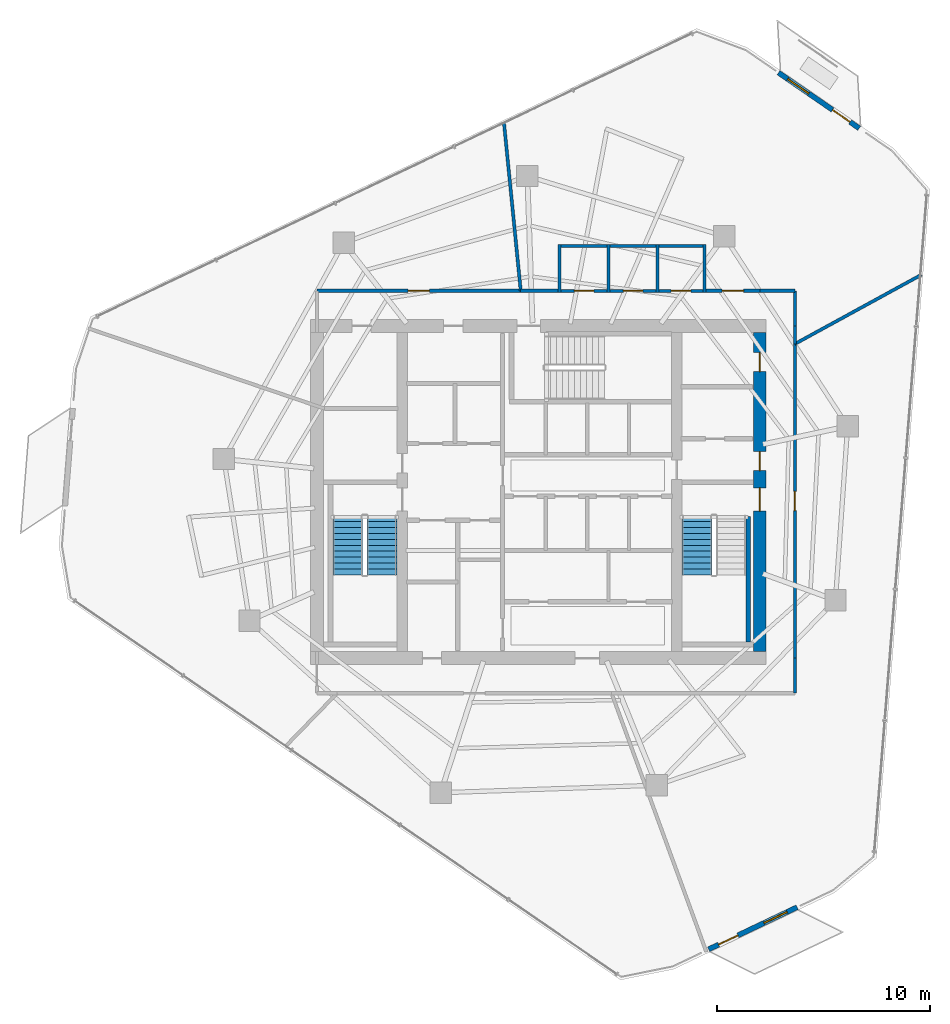
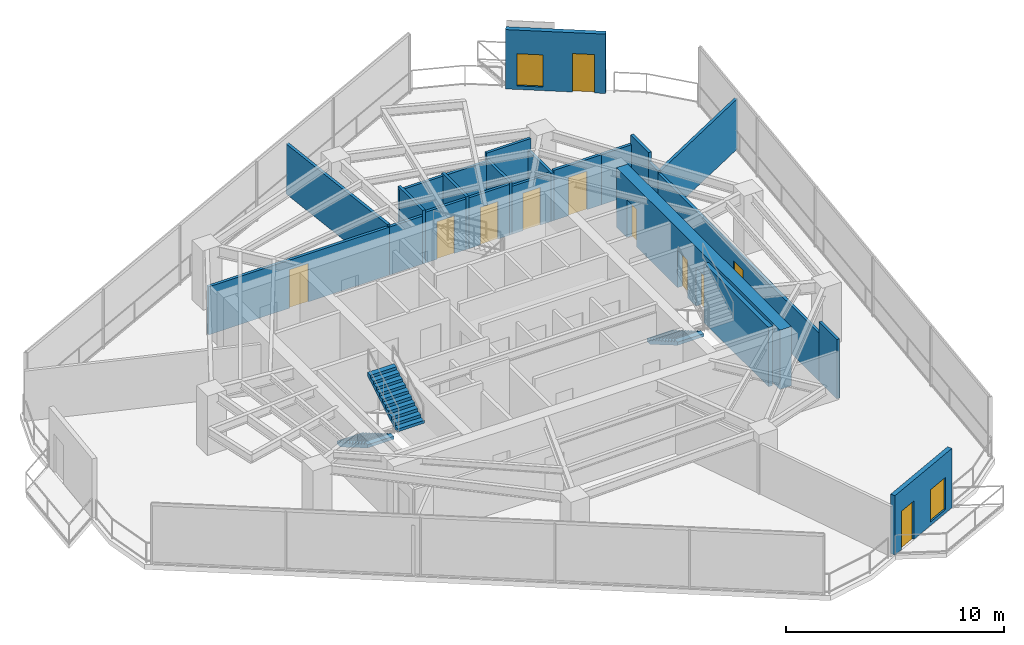
# One storey, part 18 of 21: 24 walls, 11 doors, 3 stair flights, 2 windows, 13 openings, 2 elements without a shape of their own.
"""IFC4 building model written with IfcOpenShell, lengths in metres."""

from ifc_helpers import new_model, si_unit, direction, frame, frame_2d, origin, place, context, subcontext, project, spatial, polyline, rectangle, outline, extrude, material, layer, layer_set, type_object, element, fill, aggregate, save


model = new_model("IFC4")

# Units and contexts
model_context = context("Model", 3, precision=1e-05, world=origin(), true_north=direction((0.0, 1.0)))
body_context = subcontext(model_context, "Body", "Model", "MODEL_VIEW")
ifc_project = project(units=[si_unit("LENGTHUNIT", "METRE"), si_unit("AREAUNIT", "SQUARE_METRE"), si_unit("VOLUMEUNIT", "CUBIC_METRE"), si_unit("PLANEANGLEUNIT", "RADIAN"), si_unit("MASSUNIT", "GRAM", prefix="KILO")], contexts=[model_context])

# Site, building, storey
site_placement = place(None, origin())
site = spatial("IfcSite", under=ifc_project, at=site_placement, CompositionType="ELEMENT")
building_placement = place(site_placement, origin())
building = spatial("IfcBuilding", under=site, at=building_placement, Name="Qarnah Convention Tower", CompositionType="ELEMENT")
storey_placement = place(building_placement, frame((0.0, 0.0, 161.699951171875)))
storey = spatial("IfcBuildingStorey", under=building, at=storey_placement, Name="L43", CompositionType="ELEMENT", Elevation=161.699951171875)

# Wall, openings, doors
ifc_material_1 = material(Name="Concrete C60/75", Category="concrete")
ifc_layer_1 = layer(ifc_material_1, 0.60009765625)
ifc_layer_set_1 = layer_set([ifc_layer_1], Name="Concrete C60/75")
wall_type_1 = type_object("IfcWallType", Name="WL-CORE-600", PredefinedType="SHEAR", material=ifc_layer_set_1)
wall_1_placement = place(storey_placement, frame((47.60009765625, 18.89990234375, 0.0), z_axis=(0.0, 0.0, 1.0), x_axis=(0.0, 1.0, 0.0)))
wall_1 = element("IfcWall", 1, at=wall_1_placement, inside=storey, type_object=wall_type_1, Name="L43 core east shear wall", PredefinedType="SHEAR", context=body_context, shape_type="SweptSolid", body=[
    extrude(rectangle(XDim=15.0, YDim=0.60009765625, at=frame_2d((7.5, 0.0))), origin(), (0.0, 0.0, 1.0), 3.320068359375),
])
opening_1_placement = place(wall_1_placement, frame((6.60009765625, 0.0, 0.0)))
opening_1 = element("IfcOpeningElement", 2, at=opening_1_placement, cuts=wall_1, Name="Opening D-4302", PredefinedType="OPENING", context=body_context, shape_type="SweptSolid", body=[
    extrude(rectangle(XDim=1.10009765625, YDim=2.14990234375, at=frame_2d((0.550048828125, 1.074951171875))), frame((0.0, 0.31005859375, 0.0), z_axis=(0.0, -1.0, 0.0), x_axis=(1.0, 0.0, 0.0)), (0.0, 0.0, 1.0), 0.6201171875),
])
opening_2_placement = place(wall_1_placement, frame((8.5, 0.0, 0.0)))
opening_2 = element("IfcOpeningElement", 3, at=opening_2_placement, cuts=wall_1, Name="Opening D-4306", PredefinedType="OPENING", context=body_context, shape_type="SweptSolid", body=[
    extrude(rectangle(XDim=0.89990234375, YDim=2.10009765625, at=frame_2d((0.449951171875, 1.050048828125))), frame((0.0, 0.31005859375, 0.0), z_axis=(0.0, -1.0, 0.0), x_axis=(1.0, 0.0, 0.0)), (0.0, 0.0, 1.0), 0.6201171875),
])
opening_3_placement = place(wall_1_placement, frame((13.14990234375, 0.0, 0.0)))
opening_3 = element("IfcOpeningElement", 4, at=opening_3_placement, cuts=wall_1, Name="Opening D-4312", PredefinedType="OPENING", context=body_context, shape_type="SweptSolid", body=[
    extrude(rectangle(XDim=0.89990234375, YDim=2.10009765625, at=frame_2d((0.449951171875, 1.050048828125))), frame((0.0, 0.31005859375, 0.0), z_axis=(0.0, -1.0, 0.0), x_axis=(1.0, 0.0, 0.0)), (0.0, 0.0, 1.0), 0.6201171875),
])
ifc_material_2 = material(Name="Structural steel S355JR", Category="steel")
door_type_1 = type_object("IfcDoorType", Name="DT-RISER-900", OperationType="NOTDEFINED", PredefinedType="DOOR", material=ifc_material_2)
door_1_placement = place(opening_2_placement, origin())
door_1 = element("IfcDoor", 5, at=door_1_placement, inside=storey, type_object=door_type_1, Name="Door D-4306", OperationType="SINGLE_SWING_LEFT", OverallHeight=2.10009765625, OverallWidth=0.89990234375, PredefinedType="DOOR", context=body_context, shape_type="SweptSolid", body=[
    extrude(rectangle(XDim=0.89990234375, YDim=2.10009765625, at=frame_2d((0.449951171875, 1.050048828125))), frame((0.0, 0.02490234375, 0.0), z_axis=(0.0, -1.0, 0.0), x_axis=(1.0, 0.0, 0.0)), (0.0, 0.0, 1.0), 0.050048828125),
])
fill(opening_2, door_1)
door_2_placement = place(opening_3_placement, origin())
door_2 = element("IfcDoor", 6, at=door_2_placement, inside=storey, type_object=door_type_1, Name="Door D-4312", OperationType="SINGLE_SWING_LEFT", OverallHeight=2.10009765625, OverallWidth=0.89990234375, PredefinedType="DOOR", context=body_context, shape_type="SweptSolid", body=[
    extrude(rectangle(XDim=0.89990234375, YDim=2.10009765625, at=frame_2d((0.449951171875, 1.050048828125))), frame((0.0, 0.02490234375, 0.0), z_axis=(0.0, -1.0, 0.0), x_axis=(1.0, 0.0, 0.0)), (0.0, 0.0, 1.0), 0.050048828125),
])
fill(opening_3, door_2)
door_type_2 = type_object("IfcDoorType", Name="DT-STAIR-1100", OperationType="NOTDEFINED", PredefinedType="DOOR", material=ifc_material_2)
door_3_placement = place(opening_1_placement, origin())
door_3 = element("IfcDoor", 7, at=door_3_placement, inside=storey, type_object=door_type_2, Name="Door D-4302", OperationType="SINGLE_SWING_LEFT", OverallHeight=2.14990234375, OverallWidth=1.10009765625, PredefinedType="DOOR", context=body_context, shape_type="SweptSolid", body=[
    extrude(rectangle(XDim=1.10009765625, YDim=2.14990234375, at=frame_2d((0.550048828125, 1.074951171875))), frame((0.0, 0.02490234375, 0.0), z_axis=(0.0, -1.0, 0.0), x_axis=(1.0, 0.0, 0.0)), (0.0, 0.0, 1.0), 0.050048828125),
])
fill(opening_1, door_3)

# Wall
ifc_layer_2 = layer(ifc_material_1, 0.219970703125)
ifc_layer_set_2 = layer_set([ifc_layer_2], Name="Concrete C60/75")
wall_type_2 = type_object("IfcWallType", Name="WL-CORE-STAIR-220", PredefinedType="SHEAR", material=ifc_layer_set_2)
wall_2_placement = place(storey_placement, frame((47.06005859375, 19.35009765625, 0.0), z_axis=(0.0, 0.0, 1.0), x_axis=(0.0, 1.0, 0.0)))
element("IfcWall", 8, at=wall_2_placement, inside=storey, type_object=wall_type_2, Name="L43 stair shaft shear wall SW-L43-ST2E", PredefinedType="SHEAR", context=body_context, shape_type="SweptSolid", body=[
    extrude(rectangle(XDim=5.89990234375, YDim=0.219970703125, at=frame_2d((2.949951171875, 0.0))), origin(), (0.0, 0.0, 1.0), 3.320068359375),
])

# Wall, openings, door, window
ifc_material_3 = material(Name="Precast concrete C45/55", Category="concrete")
ifc_layer_3 = layer(ifc_material_3, 0.239990234375)
ifc_layer_set_3 = layer_set([ifc_layer_3], Name="Precast concrete C45/55")
wall_type_3 = type_object("IfcWallType", Name="WL-EXT-BAL-240", PredefinedType="SOLIDWALL", material=ifc_layer_set_3)
wall_3_placement = place(storey_placement, frame((48.48095703125, 46.093994140625, 0.0), z_axis=(0.0, 0.0, 1.0), x_axis=(0.823521372706, -0.567285244562, 0.0)))
wall_3 = element("IfcWall", 9, at=wall_3_placement, inside=storey, type_object=wall_type_3, Name="L43 loggia threshold wall BAL-L43-C1", PredefinedType="SOLIDWALL", context=body_context, shape_type="SweptSolid", body=[
    extrude(rectangle(XDim=4.60107421875, YDim=0.239990234375, at=frame_2d((2.300537109375, 0.0))), origin(), (0.0, 0.0, 1.0), 3.320068359375),
])
opening_4_placement = place(wall_3_placement, frame((3.0810546875, 0.0, 0.0)))
opening_4 = element("IfcOpeningElement", 10, at=opening_4_placement, cuts=wall_3, Name="Opening BD-4301", PredefinedType="OPENING", context=body_context, shape_type="SweptSolid", body=[
    extrude(rectangle(XDim=1.0, YDim=2.14990234375, at=frame_2d((0.5, 1.074951171875))), frame((0.0, 0.1298828125, 0.0), z_axis=(0.0, -1.0, 0.0), x_axis=(1.0, 0.0, 0.0)), (0.0, 0.0, 1.0), 0.260009765625),
])
opening_5_placement = place(wall_3_placement, frame((0.52001953125, 0.0, 0.199951171875)))
opening_5 = element("IfcOpeningElement", 11, at=opening_5_placement, cuts=wall_3, Name="Opening WN5", PredefinedType="OPENING", context=body_context, shape_type="SweptSolid", body=[
    extrude(rectangle(XDim=1.199951171875, YDim=1.800048828125, at=frame_2d((0.60009765625, 0.89990234375))), frame((0.0, 0.1298828125, 0.0), z_axis=(0.0, -1.0, 0.0), x_axis=(1.0, 0.0, 0.0)), (0.0, 0.0, 1.0), 0.260009765625),
])
ifc_material_4 = material(Name="Black anodised aluminium", Category="aluminium")
door_type_3 = type_object("IfcDoorType", Name="DT-BAL-1000", OperationType="NOTDEFINED", PredefinedType="DOOR", material=ifc_material_4)
door_4_placement = place(opening_4_placement, origin())
door_4 = element("IfcDoor", 12, at=door_4_placement, inside=storey, type_object=door_type_3, Name="L43 balcony terrace door BAL-L43-C1", OperationType="SINGLE_SWING_RIGHT", OverallHeight=2.14990234375, OverallWidth=1.0, PredefinedType="DOOR", context=body_context, shape_type="SweptSolid", body=[
    extrude(rectangle(XDim=1.0, YDim=2.14990234375, at=frame_2d((0.5, 1.074951171875))), frame((0.0, 0.02490234375, 0.0), z_axis=(0.0, -1.0, 0.0), x_axis=(1.0, 0.0, 0.0)), (0.0, 0.0, 1.0), 0.050048828125),
])
fill(opening_4, door_4)
ifc_material_5 = material(Name="Tempered Low-E dark glass", Category="glass")
window_type = type_object("IfcWindowType", Name="WT-BAL-1200X1800", PartitioningType="SINGLE_PANEL", PredefinedType="WINDOW", material=ifc_material_5)
window_1_placement = place(opening_5_placement, origin())
window_1 = element("IfcWindow", 13, at=window_1_placement, inside=storey, type_object=window_type, Name="Window BW-BAL-L43-C1", OverallHeight=1.800048828125, OverallWidth=1.199951171875, PartitioningType="SINGLE_PANEL", PredefinedType="WINDOW", context=body_context, shape_type="SweptSolid", body=[
    extrude(rectangle(XDim=1.199951171875, YDim=1.800048828125, at=frame_2d((0.60009765625, 0.89990234375))), frame((0.0, 0.030029296875, 0.0), z_axis=(0.0, -1.0, 0.0), x_axis=(1.0, 0.0, 0.0)), (0.0, 0.0, 1.0), 0.06005859375),
])
fill(opening_5, window_1)

wall_4_placement = place(storey_placement, frame((49.35205078125, 6.89892578125, 0.0), z_axis=(0.0, 0.0, 1.0), x_axis=(-0.903053691433, -0.429527682913, 0.0)))
wall_4 = element("IfcWall", 14, at=wall_4_placement, inside=storey, type_object=wall_type_3, Name="L43 loggia threshold wall BAL-L43-C3", PredefinedType="SOLIDWALL", context=body_context, shape_type="SweptSolid", body=[
    extrude(rectangle(XDim=4.60009765625, YDim=0.239990234375, at=frame_2d((2.300048828125, 0.0))), origin(), (0.0, 0.0, 1.0), 3.320068359375),
])
opening_6_placement = place(wall_4_placement, frame((3.080078125, 0.0, 0.0)))
opening_6 = element("IfcOpeningElement", 15, at=opening_6_placement, cuts=wall_4, Name="Opening BD-4303", PredefinedType="OPENING", context=body_context, shape_type="SweptSolid", body=[
    extrude(rectangle(XDim=1.0, YDim=2.14990234375, at=frame_2d((0.5, 1.074951171875))), frame((0.0, 0.1298828125, 0.0), z_axis=(0.0, -1.0, 0.0), x_axis=(1.0, 0.0, 0.0)), (0.0, 0.0, 1.0), 0.260009765625),
])
opening_7_placement = place(wall_4_placement, frame((0.52001953125, 0.0, 0.199951171875)))
opening_7 = element("IfcOpeningElement", 16, at=opening_7_placement, cuts=wall_4, Name="Opening WN5", PredefinedType="OPENING", context=body_context, shape_type="SweptSolid", body=[
    extrude(rectangle(XDim=1.199951171875, YDim=1.800048828125, at=frame_2d((0.60009765625, 0.89990234375))), frame((0.0, 0.1298828125, 0.0), z_axis=(0.0, -1.0, 0.0), x_axis=(1.0, 0.0, 0.0)), (0.0, 0.0, 1.0), 0.260009765625),
])
door_5_placement = place(opening_6_placement, origin())
door_5 = element("IfcDoor", 17, at=door_5_placement, inside=storey, type_object=door_type_3, Name="L43 balcony terrace door BAL-L43-C3", OperationType="SINGLE_SWING_RIGHT", OverallHeight=2.14990234375, OverallWidth=1.0, PredefinedType="DOOR", context=body_context, shape_type="SweptSolid", body=[
    extrude(rectangle(XDim=1.0, YDim=2.14990234375, at=frame_2d((0.5, 1.074951171875))), frame((0.0, 0.02490234375, 0.0), z_axis=(0.0, -1.0, 0.0), x_axis=(1.0, 0.0, 0.0)), (0.0, 0.0, 1.0), 0.050048828125),
])
fill(opening_6, door_5)
window_2_placement = place(opening_7_placement, origin())
window_2 = element("IfcWindow", 18, at=window_2_placement, inside=storey, type_object=window_type, Name="Window BW-BAL-L43-C3", OverallHeight=1.800048828125, OverallWidth=1.199951171875, PartitioningType="SINGLE_PANEL", PredefinedType="WINDOW", context=body_context, shape_type="SweptSolid", body=[
    extrude(rectangle(XDim=1.199951171875, YDim=1.800048828125, at=frame_2d((0.60009765625, 0.89990234375))), frame((0.0, 0.030029296875, 0.0), z_axis=(0.0, -1.0, 0.0), x_axis=(1.0, 0.0, 0.0)), (0.0, 0.0, 1.0), 0.06005859375),
])
fill(opening_7, window_2)

# Walls
ifc_material_6 = material(Name="Gypsum partition board")
ifc_layer_4 = layer(ifc_material_6, 0.14990234375)
ifc_layer_set_4 = layer_set([ifc_layer_4], Name="Gypsum partition board")
wall_type_4 = type_object("IfcWallType", Name="WL-SUITE-150", PredefinedType="PARTITIONING", material=ifc_layer_set_4)
wall_5_placement = place(storey_placement, frame((35.5810546875, 43.785888671875, 0.0), z_axis=(0.0, 0.0, 1.0), x_axis=(0.099306706415, -0.995056871772, 0.0)))
element("IfcWall", 19, at=wall_5_placement, inside=storey, type_object=wall_type_4, Name="L43 interior wall IW-L43-R-11", PredefinedType="PARTITIONING", context=body_context, shape_type="SweptSolid", body=[
    extrude(rectangle(XDim=7.97509765625, YDim=0.14990234375, at=frame_2d((3.987548828125, 0.0))), origin(), (0.0, 0.0, 1.0), 2.804931640625),
])
wall_6_placement = place(storey_placement, frame((36.373046875, 35.85009765625, 0.0), z_axis=(0.0, 0.0, 1.0), x_axis=(1.0, 0.0, 0.0)))
element("IfcWall", 20, at=wall_6_placement, inside=storey, type_object=wall_type_4, Name="L43 interior wall IW-L43-R-12", PredefinedType="PARTITIONING", context=body_context, shape_type="SweptSolid", body=[
    extrude(rectangle(XDim=1.7568359375, YDim=0.14990234375, at=frame_2d((0.87841796875, 0.0))), origin(), (0.0, 0.0, 1.0), 2.68701171875),
])

# Wall, opening, door
wall_7_placement = place(storey_placement, frame((45.070068359375, 35.85009765625, 0.0), z_axis=(0.0, 0.0, 1.0), x_axis=(1.0, 0.0, 0.0)))
wall_7 = element("IfcWall", 21, at=wall_7_placement, inside=storey, type_object=wall_type_4, Name="L43 interior wall IW-L43-R-13", PredefinedType="PARTITIONING", context=body_context, shape_type="SweptSolid", body=[
    extrude(rectangle(XDim=2.530029296875, YDim=0.14990234375, at=frame_2d((1.26513671875, 0.0))), origin(), (0.0, 0.0, 1.0), 2.804931640625),
])
opening_8_placement = place(wall_7_placement, frame((0.764892578125, 0.0, 0.0)))
opening_8 = element("IfcOpeningElement", 22, at=opening_8_placement, cuts=wall_7, Name="Opening D-4321", PredefinedType="OPENING", context=body_context, shape_type="SweptSolid", body=[
    extrude(rectangle(XDim=1.0, YDim=2.14990234375, at=frame_2d((0.5, 1.074951171875))), frame((0.0, 0.0849609375, 0.0), z_axis=(0.0, -1.0, 0.0), x_axis=(1.0, 0.0, 0.0)), (0.0, 0.0, 1.0), 0.169921875),
])
ifc_material_7 = material(Name="Oak timber veneer", Category="wood")
door_type_4 = type_object("IfcDoorType", Name="DT-OFFICE-1000", OperationType="NOTDEFINED", PredefinedType="DOOR", material=ifc_material_7)
door_6_placement = place(opening_8_placement, origin())
door_6 = element("IfcDoor", 23, at=door_6_placement, inside=storey, type_object=door_type_4, Name="Door D-4321", OperationType="SINGLE_SWING_RIGHT", OverallHeight=2.14990234375, OverallWidth=1.0, PredefinedType="DOOR", context=body_context, shape_type="SweptSolid", body=[
    extrude(rectangle(XDim=1.0, YDim=2.14990234375, at=frame_2d((0.5, 1.074951171875))), frame((0.0, 0.02490234375, 0.0), z_axis=(0.0, -1.0, 0.0), x_axis=(1.0, 0.0, 0.0)), (0.0, 0.0, 1.0), 0.050048828125),
])
fill(opening_8, door_6)

# Walls
wall_8_placement = place(storey_placement, frame((47.60009765625, 35.85009765625, 0.0), z_axis=(0.0, 0.0, 1.0), x_axis=(1.0, 0.0, 0.0)))
element("IfcWall", 24, at=wall_8_placement, inside=storey, type_object=wall_type_4, Name="L43 interior wall IW-L43-R-14", PredefinedType="PARTITIONING", context=body_context, shape_type="SweptSolid", body=[
    extrude(rectangle(XDim=1.64990234375, YDim=0.14990234375, at=frame_2d((0.824951171875, 0.0))), origin(), (0.0, 0.0, 1.0), 2.804931640625),
])
wall_9_placement = place(storey_placement, frame((49.25, 35.85009765625, 0.0), z_axis=(0.0, 0.0, 1.0), x_axis=(0.0, -1.0, 0.0)))
element("IfcWall", 25, at=wall_9_placement, inside=storey, type_object=wall_type_4, Name="L43 interior wall IW-L43-R-15", PredefinedType="PARTITIONING", context=body_context, shape_type="SweptSolid", body=[
    extrude(rectangle(XDim=1.650146484375, YDim=0.14990234375, at=frame_2d((0.8251953125, 0.0))), origin(), (0.0, 0.0, 1.0), 3.320068359375),
])
wall_10_placement = place(storey_placement, frame((49.25, 34.199951171875, 0.0), z_axis=(0.0, 0.0, 1.0), x_axis=(0.0, -1.0, 0.0)))
element("IfcWall", 26, at=wall_10_placement, inside=storey, type_object=wall_type_4, Name="L43 interior wall IW-L43-R-16", PredefinedType="PARTITIONING", context=body_context, shape_type="SweptSolid", body=[
    extrude(rectangle(XDim=0.843017578125, YDim=0.14990234375, at=frame_2d((0.42138671875, 0.0))), origin(), (0.0, 0.0, 1.0), 2.804931640625),
])
wall_11_placement = place(storey_placement, frame((49.25, 33.35693359375, 0.0), z_axis=(0.0, 0.0, 1.0), x_axis=(0.877457580628, 0.479654244428, 0.0)))
element("IfcWall", 27, at=wall_11_placement, inside=storey, type_object=wall_type_4, Name="L43 interior wall IW-L43-R-17", PredefinedType="PARTITIONING", context=body_context, shape_type="SweptSolid", body=[
    extrude(rectangle(XDim=6.77978515625, YDim=0.14990234375, at=frame_2d((3.389892578125, 0.0))), origin(), (0.0, 0.0, 1.0), 2.804931640625),
])

# Wall, opening, door
wall_12_placement = place(storey_placement, frame((26.800048828125, 35.85009765625, 0.0), z_axis=(0.0, 0.0, 1.0), x_axis=(1.0, 0.0, 0.0)))
wall_12 = element("IfcWall", 28, at=wall_12_placement, inside=storey, type_object=wall_type_4, Name="L43 interior wall IW-L43-R-20", PredefinedType="PARTITIONING", context=body_context, shape_type="SweptSolid", body=[
    extrude(rectangle(XDim=9.572998046875, YDim=0.14990234375, at=frame_2d((4.78662109375, 0.0))), origin(), (0.0, 0.0, 1.0), 2.68701171875),
])
opening_9_placement = place(wall_12_placement, frame((4.285888671875, 0.0, 0.0)))
opening_9 = element("IfcOpeningElement", 29, at=opening_9_placement, cuts=wall_12, Name="Opening D-4322", PredefinedType="OPENING", context=body_context, shape_type="SweptSolid", body=[
    extrude(rectangle(XDim=1.0, YDim=2.14990234375, at=frame_2d((0.5, 1.074951171875))), frame((0.0, 0.0849609375, 0.0), z_axis=(0.0, -1.0, 0.0), x_axis=(1.0, 0.0, 0.0)), (0.0, 0.0, 1.0), 0.169921875),
])
door_7_placement = place(opening_9_placement, origin())
door_7 = element("IfcDoor", 30, at=door_7_placement, inside=storey, type_object=door_type_4, Name="Door D-4322", OperationType="SINGLE_SWING_LEFT", OverallHeight=2.14990234375, OverallWidth=1.0, PredefinedType="DOOR", context=body_context, shape_type="SweptSolid", body=[
    extrude(rectangle(XDim=1.0, YDim=2.14990234375, at=frame_2d((0.5, 1.074951171875))), frame((0.0, 0.02490234375, 0.0), z_axis=(0.0, -1.0, 0.0), x_axis=(1.0, 0.0, 0.0)), (0.0, 0.0, 1.0), 0.050048828125),
])
fill(opening_9, door_7)

wall_13_placement = place(storey_placement, frame((49.25, 33.35693359375, 0.0), z_axis=(0.0, 0.0, 1.0), x_axis=(0.0, -1.0, 0.0)))
wall_13 = element("IfcWall", 31, at=wall_13_placement, inside=storey, type_object=wall_type_4, Name="L43 interior wall IW-L43-R-26", PredefinedType="PARTITIONING", context=body_context, shape_type="SweptSolid", body=[
    extrude(rectangle(XDim=14.7568359375, YDim=0.14990234375, at=frame_2d((7.37841796875, 0.0))), origin(), (0.0, 0.0, 1.0), 2.68701171875),
])
opening_10_placement = place(wall_13_placement, frame((6.927978515625, 0.0, 0.0)))
opening_10 = element("IfcOpeningElement", 32, at=opening_10_placement, cuts=wall_13, Name="Opening D-4325", PredefinedType="OPENING", context=body_context, shape_type="SweptSolid", body=[
    extrude(rectangle(XDim=0.89990234375, YDim=2.0, at=frame_2d((0.449951171875, 1.0))), frame((0.0, 0.0849609375, 0.0), z_axis=(0.0, -1.0, 0.0), x_axis=(1.0, 0.0, 0.0)), (0.0, 0.0, 1.0), 0.169921875),
])
door_type_5 = type_object("IfcDoorType", Name="DT-PLANT-900", OperationType="NOTDEFINED", PredefinedType="DOOR", material=ifc_material_2)
door_8_placement = place(opening_10_placement, origin())
door_8 = element("IfcDoor", 33, at=door_8_placement, inside=storey, type_object=door_type_5, Name="Door D-4325", OperationType="SINGLE_SWING_RIGHT", OverallHeight=2.0, OverallWidth=0.89990234375, PredefinedType="DOOR", context=body_context, shape_type="SweptSolid", body=[
    extrude(rectangle(XDim=0.89990234375, YDim=2.0, at=frame_2d((0.449951171875, 1.0))), frame((0.0, 0.02490234375, 0.0), z_axis=(0.0, -1.0, 0.0), x_axis=(1.0, 0.0, 0.0)), (0.0, 0.0, 1.0), 0.050048828125),
])
fill(opening_10, door_8)

# Wall
wall_14_placement = place(storey_placement, frame((49.25, 18.60009765625, 0.0), z_axis=(0.0, 0.0, 1.0), x_axis=(0.0, -1.0, 0.0)))
element("IfcWall", 34, at=wall_14_placement, inside=storey, type_object=wall_type_4, Name="L43 interior wall IW-L43-R-27", PredefinedType="PARTITIONING", context=body_context, shape_type="SweptSolid", body=[
    extrude(rectangle(XDim=1.650146484375, YDim=0.14990234375, at=frame_2d((0.8251953125, 0.0))), origin(), (0.0, 0.0, 1.0), 3.320068359375),
])

# Wall, opening, door
ifc_layer_5 = layer(ifc_material_6, 0.139892578125)
ifc_layer_set_5 = layer_set([ifc_layer_5], Name="Gypsum partition board")
wall_type_5 = type_object("IfcWallType", Name="WL-WET-140", PredefinedType="PARTITIONING", material=ifc_layer_set_5)
wall_15_placement = place(storey_placement, frame((38.1298828125, 35.85009765625, 0.0), z_axis=(0.0, 0.0, 1.0), x_axis=(1.0, 0.0, 0.0)))
wall_15 = element("IfcWall", 35, at=wall_15_placement, inside=storey, type_object=wall_type_5, Name="L43 interior wall IW-L43-WCM-1", PredefinedType="PARTITIONING", context=body_context, shape_type="SweptSolid", body=[
    extrude(rectangle(XDim=2.440185546875, YDim=0.139892578125, at=frame_2d((1.22021484375, 0.0))), origin(), (0.0, 0.0, 1.0), 2.841064453125),
])
opening_11_placement = place(wall_15_placement, frame((0.760009765625, 0.0, 0.0)))
opening_11 = element("IfcOpeningElement", 36, at=opening_11_placement, cuts=wall_15, Name="Opening D-4318", PredefinedType="OPENING", context=body_context, shape_type="SweptSolid", body=[
    extrude(rectangle(XDim=0.919921875, YDim=2.10009765625, at=frame_2d((0.4599609375, 1.050048828125))), frame((0.0, 0.079833984375, 0.0), z_axis=(0.0, -1.0, 0.0), x_axis=(1.0, 0.0, 0.0)), (0.0, 0.0, 1.0), 0.159912109375),
])
door_type_6 = type_object("IfcDoorType", Name="DT-WC-920", OperationType="NOTDEFINED", PredefinedType="DOOR", material=ifc_material_7)
door_9_placement = place(opening_11_placement, origin())
door_9 = element("IfcDoor", 37, at=door_9_placement, inside=storey, type_object=door_type_6, Name="Door D-4318", OperationType="SINGLE_SWING_LEFT", OverallHeight=2.10009765625, OverallWidth=0.919921875, PredefinedType="DOOR", context=body_context, shape_type="SweptSolid", body=[
    extrude(rectangle(XDim=0.919921875, YDim=2.10009765625, at=frame_2d((0.4599609375, 1.050048828125))), frame((0.0, 0.02490234375, 0.0), z_axis=(0.0, -1.0, 0.0), x_axis=(1.0, 0.0, 0.0)), (0.0, 0.0, 1.0), 0.050048828125),
])
fill(opening_11, door_9)

# Walls
wall_16_placement = place(storey_placement, frame((40.5, 35.780029296875, 0.0), z_axis=(0.0, 0.0, 1.0), x_axis=(0.0, 1.0, 0.0)))
element("IfcWall", 38, at=wall_16_placement, inside=storey, type_object=wall_type_5, Name="L43 interior wall IW-L43-WCM-2", PredefinedType="PARTITIONING", context=body_context, shape_type="SweptSolid", body=[
    extrude(rectangle(XDim=2.239990234375, YDim=0.139892578125, at=frame_2d((1.1201171875, 0.0))), origin(), (0.0, 0.0, 1.0), 2.948974609375),
])
wall_17_placement = place(storey_placement, frame((40.570068359375, 37.949951171875, 0.0), z_axis=(0.0, 0.0, 1.0), x_axis=(-1.0, 0.0, 0.0)))
element("IfcWall", 39, at=wall_17_placement, inside=storey, type_object=wall_type_5, Name="L43 interior wall IW-L43-WCM-3", PredefinedType="PARTITIONING", context=body_context, shape_type="SweptSolid", body=[
    extrude(rectangle(XDim=2.440185546875, YDim=0.139892578125, at=frame_2d((1.22021484375, 0.0))), origin(), (0.0, 0.0, 1.0), 2.841064453125),
])
wall_18_placement = place(storey_placement, frame((38.199951171875, 38.02001953125, 0.0), z_axis=(0.0, 0.0, 1.0), x_axis=(0.0, -1.0, 0.0)))
element("IfcWall", 40, at=wall_18_placement, inside=storey, type_object=wall_type_5, Name="L43 interior wall IW-L43-WCM-4", PredefinedType="PARTITIONING", context=body_context, shape_type="SweptSolid", body=[
    extrude(rectangle(XDim=2.239990234375, YDim=0.139892578125, at=frame_2d((1.1201171875, 0.0))), origin(), (0.0, 0.0, 1.0), 2.9931640625),
])

# Wall, opening, door
wall_19_placement = place(storey_placement, frame((40.429931640625, 35.85009765625, 0.0), z_axis=(0.0, 0.0, 1.0), x_axis=(1.0, 0.0, 0.0)))
wall_19 = element("IfcWall", 41, at=wall_19_placement, inside=storey, type_object=wall_type_5, Name="L43 interior wall IW-L43-WCF-1", PredefinedType="PARTITIONING", context=body_context, shape_type="SweptSolid", body=[
    extrude(rectangle(XDim=2.440185546875, YDim=0.139892578125, at=frame_2d((1.22021484375, 0.0))), origin(), (0.0, 0.0, 1.0), 2.841064453125),
])
opening_12_placement = place(wall_19_placement, frame((0.760009765625, 0.0, 0.0)))
opening_12 = element("IfcOpeningElement", 42, at=opening_12_placement, cuts=wall_19, Name="Opening D-4319", PredefinedType="OPENING", context=body_context, shape_type="SweptSolid", body=[
    extrude(rectangle(XDim=0.919921875, YDim=2.10009765625, at=frame_2d((0.4599609375, 1.050048828125))), frame((0.0, 0.079833984375, 0.0), z_axis=(0.0, -1.0, 0.0), x_axis=(1.0, 0.0, 0.0)), (0.0, 0.0, 1.0), 0.159912109375),
])
door_10_placement = place(opening_12_placement, origin())
door_10 = element("IfcDoor", 43, at=door_10_placement, inside=storey, type_object=door_type_6, Name="Door D-4319", OperationType="SINGLE_SWING_RIGHT", OverallHeight=2.10009765625, OverallWidth=0.919921875, PredefinedType="DOOR", context=body_context, shape_type="SweptSolid", body=[
    extrude(rectangle(XDim=0.919921875, YDim=2.10009765625, at=frame_2d((0.4599609375, 1.050048828125))), frame((0.0, 0.02490234375, 0.0), z_axis=(0.0, -1.0, 0.0), x_axis=(1.0, 0.0, 0.0)), (0.0, 0.0, 1.0), 0.050048828125),
])
fill(opening_12, door_10)

# Walls
wall_20_placement = place(storey_placement, frame((42.800048828125, 35.780029296875, 0.0), z_axis=(0.0, 0.0, 1.0), x_axis=(0.0, 1.0, 0.0)))
element("IfcWall", 44, at=wall_20_placement, inside=storey, type_object=wall_type_5, Name="L43 interior wall IW-L43-WCF-2", PredefinedType="PARTITIONING", context=body_context, shape_type="SweptSolid", body=[
    extrude(rectangle(XDim=2.239990234375, YDim=0.139892578125, at=frame_2d((1.1201171875, 0.0))), origin(), (0.0, 0.0, 1.0), 2.948974609375),
])
wall_21_placement = place(storey_placement, frame((42.8701171875, 37.949951171875, 0.0), z_axis=(0.0, 0.0, 1.0), x_axis=(-1.0, 0.0, 0.0)))
element("IfcWall", 45, at=wall_21_placement, inside=storey, type_object=wall_type_5, Name="L43 interior wall IW-L43-WCF-3", PredefinedType="PARTITIONING", context=body_context, shape_type="SweptSolid", body=[
    extrude(rectangle(XDim=2.440185546875, YDim=0.139892578125, at=frame_2d((1.22021484375, 0.0))), origin(), (0.0, 0.0, 1.0), 2.841064453125),
])

# Wall, opening, door
wall_22_placement = place(storey_placement, frame((42.72998046875, 35.85009765625, 0.0), z_axis=(0.0, 0.0, 1.0), x_axis=(1.0, 0.0, 0.0)))
wall_22 = element("IfcWall", 46, at=wall_22_placement, inside=storey, type_object=wall_type_5, Name="L43 interior wall IW-L43-WCA-1", PredefinedType="PARTITIONING", context=body_context, shape_type="SweptSolid", body=[
    extrude(rectangle(XDim=2.340087890625, YDim=0.139892578125, at=frame_2d((1.169921875, 0.0))), origin(), (0.0, 0.0, 1.0), 2.68701171875),
])
opening_13_placement = place(wall_22_placement, frame((0.7099609375, 0.0, 0.0)))
opening_13 = element("IfcOpeningElement", 47, at=opening_13_placement, cuts=wall_22, Name="Opening D-4320", PredefinedType="OPENING", context=body_context, shape_type="SweptSolid", body=[
    extrude(rectangle(XDim=0.919921875, YDim=2.10009765625, at=frame_2d((0.4599609375, 1.050048828125))), frame((0.0, 0.079833984375, 0.0), z_axis=(0.0, -1.0, 0.0), x_axis=(1.0, 0.0, 0.0)), (0.0, 0.0, 1.0), 0.159912109375),
])
door_11_placement = place(opening_13_placement, origin())
door_11 = element("IfcDoor", 48, at=door_11_placement, inside=storey, type_object=door_type_6, Name="Door D-4320", OperationType="SINGLE_SWING_LEFT", OverallHeight=2.10009765625, OverallWidth=0.919921875, PredefinedType="DOOR", context=body_context, shape_type="SweptSolid", body=[
    extrude(rectangle(XDim=0.919921875, YDim=2.10009765625, at=frame_2d((0.4599609375, 1.050048828125))), frame((0.0, 0.02490234375, 0.0), z_axis=(0.0, -1.0, 0.0), x_axis=(1.0, 0.0, 0.0)), (0.0, 0.0, 1.0), 0.050048828125),
])
fill(opening_13, door_11)

# Walls
wall_23_placement = place(storey_placement, frame((45.0, 35.780029296875, 0.0), z_axis=(0.0, 0.0, 1.0), x_axis=(0.0, 1.0, 0.0)))
element("IfcWall", 49, at=wall_23_placement, inside=storey, type_object=wall_type_5, Name="L43 interior wall IW-L43-WCA-2", PredefinedType="PARTITIONING", context=body_context, shape_type="SweptSolid", body=[
    extrude(rectangle(XDim=2.239990234375, YDim=0.139892578125, at=frame_2d((1.1201171875, 0.0))), origin(), (0.0, 0.0, 1.0), 2.68701171875),
])
wall_24_placement = place(storey_placement, frame((45.070068359375, 37.949951171875, 0.0), z_axis=(0.0, 0.0, 1.0), x_axis=(-1.0, 0.0, 0.0)))
element("IfcWall", 50, at=wall_24_placement, inside=storey, type_object=wall_type_5, Name="L43 interior wall IW-L43-WCA-3", PredefinedType="PARTITIONING", context=body_context, shape_type="SweptSolid", body=[
    extrude(rectangle(XDim=2.340087890625, YDim=0.139892578125, at=frame_2d((1.169921875, 0.0))), origin(), (0.0, 0.0, 1.0), 3.320068359375),
])

# Stair, stair flights
ifc_material_8 = material(Name="Concrete C50/60", Category="concrete")
stair_type = type_object("IfcStairType", Name="STR-OFF", PredefinedType="HALF_TURN_STAIR", material=ifc_material_8)
stair_1_placement = place(storey_placement, origin())
stair_1 = element("IfcStair", 51, at=stair_1_placement, inside=storey, type_object=stair_type, Name="L43 Core exit stair ST-1", PredefinedType="HALF_TURN_STAIR")
stair_flight_type = type_object("IfcStairFlightType", Name="FLT-OFF", PredefinedType="STRAIGHT", material=ifc_material_8)
stair_flight_1_placement = place(storey_placement, frame((28.25, 25.300048828125, 0.0), z_axis=(0.0, 0.0, 1.0), x_axis=(0.0, -1.0, 0.0)))
stair_flight_1 = element("IfcStairFlight", 52, at=stair_flight_1_placement, type_object=stair_flight_type, Name="ST-1 flight 1", NumberOfRisers=11, NumberOfTreads=10, PredefinedType="STRAIGHT", RiserHeight=0.163636364, TreadLength=0.28, context=body_context, shape_type="SweptSolid", body=[
    extrude(outline(polyline([(0.0, 0.0), (0.0, 0.16357421875), (0.280029296875, 0.16357421875), (0.280029296875, 0.327392578125), (0.56005859375, 0.327392578125), (0.56005859375, 0.490966796875), (0.840087890625, 0.490966796875), (0.840087890625, 0.654541015625), (1.1201171875, 0.654541015625), (1.1201171875, 0.818115234375), (1.39990234375, 0.818115234375), (1.39990234375, 0.98193359375), (1.679931640625, 0.98193359375), (1.679931640625, 1.1455078125), (1.9599609375, 1.1455078125), (1.9599609375, 1.30908203125), (2.239990234375, 1.30908203125), (2.239990234375, 1.47265625), (2.52001953125, 1.47265625), (2.52001953125, 1.636474609375), (2.800048828125, 1.636474609375), (2.800048828125, 1.800048828125), (2.800048828125, 1.462646484375), (0.297119140625, 0.0), (0.0, 0.0)])), frame((0.0, 0.699951171875, 0.0), z_axis=(0.0, -1.0, 0.0), x_axis=(1.0, 0.0, 0.0)), (0.0, 0.0, 1.0), 1.39990234375),
])
stair_flight_2_placement = place(storey_placement, frame((29.85009765625, 22.5, 1.800048828125), z_axis=(0.0, 0.0, 1.0), x_axis=(0.0, 1.0, 0.0)))
stair_flight_2 = element("IfcStairFlight", 53, at=stair_flight_2_placement, type_object=stair_flight_type, Name="ST-1 flight 2", NumberOfRisers=11, NumberOfTreads=10, PredefinedType="STRAIGHT", RiserHeight=0.163636364, TreadLength=0.28, context=body_context, shape_type="SweptSolid", body=[
    extrude(outline(polyline([(0.0, 0.0), (0.0, 0.16357421875), (0.280029296875, 0.16357421875), (0.280029296875, 0.327392578125), (0.56005859375, 0.327392578125), (0.56005859375, 0.490966796875), (0.840087890625, 0.490966796875), (0.840087890625, 0.654541015625), (1.1201171875, 0.654541015625), (1.1201171875, 0.818115234375), (1.39990234375, 0.818115234375), (1.39990234375, 0.98193359375), (1.679931640625, 0.98193359375), (1.679931640625, 1.1455078125), (1.9599609375, 1.1455078125), (1.9599609375, 1.30908203125), (2.239990234375, 1.30908203125), (2.239990234375, 1.47265625), (2.52001953125, 1.47265625), (2.52001953125, 1.636474609375), (2.800048828125, 1.636474609375), (2.800048828125, 1.800048828125), (2.800048828125, 1.462646484375), (0.297119140625, 0.0), (0.0, 0.0)])), frame((0.0, 0.699951171875, 0.0), z_axis=(0.0, -1.0, 0.0), x_axis=(1.0, 0.0, 0.0)), (0.0, 0.0, 1.0), 1.39990234375),
])
aggregate(stair_1, [stair_flight_1, stair_flight_2])

# Stair, stair flight
stair_2_placement = place(storey_placement, origin())
stair_2 = element("IfcStair", 54, at=stair_2_placement, inside=storey, type_object=stair_type, Name="L43 Core exit stair ST-2", PredefinedType="HALF_TURN_STAIR")
stair_flight_3_placement = place(storey_placement, frame((44.64990234375, 25.300048828125, 0.0), z_axis=(0.0, 0.0, 1.0), x_axis=(0.0, -1.0, 0.0)))
stair_flight_3 = element("IfcStairFlight", 55, at=stair_flight_3_placement, type_object=stair_flight_type, Name="ST-2 flight 1", NumberOfRisers=11, NumberOfTreads=10, PredefinedType="STRAIGHT", RiserHeight=0.163636364, TreadLength=0.28, context=body_context, shape_type="SweptSolid", body=[
    extrude(outline(polyline([(0.0, 0.0), (0.0, 0.16357421875), (0.280029296875, 0.16357421875), (0.280029296875, 0.327392578125), (0.56005859375, 0.327392578125), (0.56005859375, 0.490966796875), (0.840087890625, 0.490966796875), (0.840087890625, 0.654541015625), (1.1201171875, 0.654541015625), (1.1201171875, 0.818115234375), (1.39990234375, 0.818115234375), (1.39990234375, 0.98193359375), (1.679931640625, 0.98193359375), (1.679931640625, 1.1455078125), (1.9599609375, 1.1455078125), (1.9599609375, 1.30908203125), (2.239990234375, 1.30908203125), (2.239990234375, 1.47265625), (2.52001953125, 1.47265625), (2.52001953125, 1.636474609375), (2.800048828125, 1.636474609375), (2.800048828125, 1.800048828125), (2.800048828125, 1.462646484375), (0.297119140625, 0.0), (0.0, 0.0)])), frame((0.0, 0.699951171875, 0.0), z_axis=(0.0, -1.0, 0.0), x_axis=(1.0, 0.0, 0.0)), (0.0, 0.0, 1.0), 1.39990234375),
])
aggregate(stair_2, [stair_flight_3])

save(model, "model.ifc")
